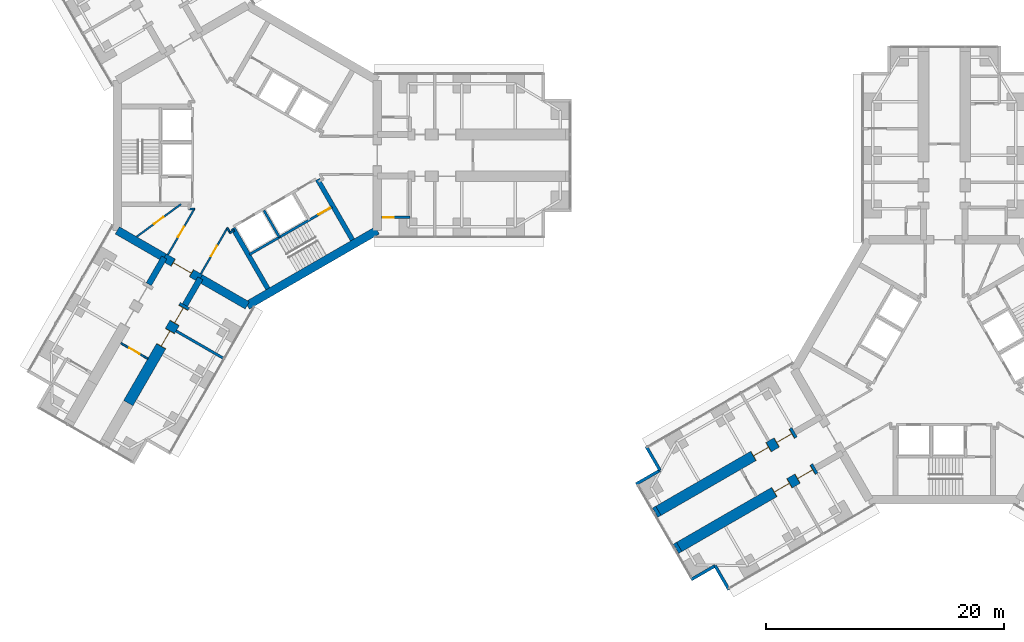
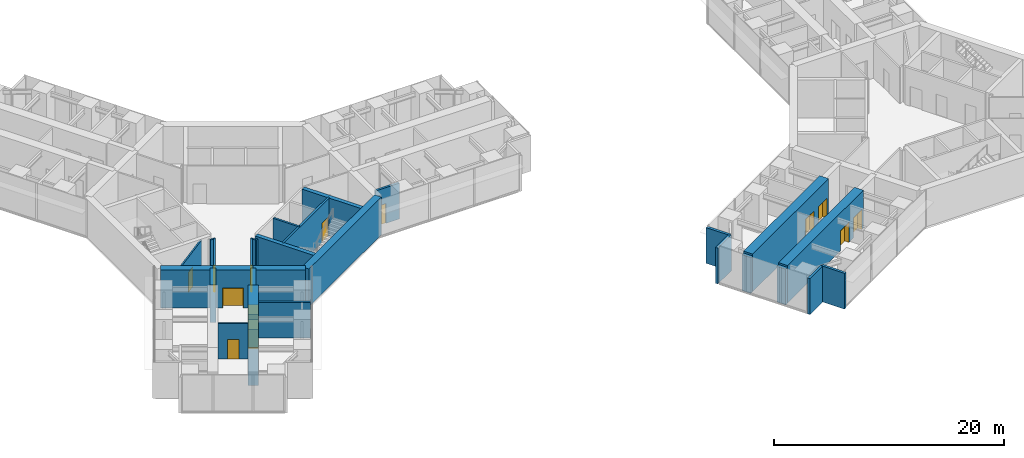
# One storey, part 16 of 23: 28 walls, 13 doors, 13 openings.
"""IFC4 building model written with IfcOpenShell, lengths in metres."""

from ifc_helpers import new_model, si_unit, direction, frame, frame_2d, origin, place, context, subcontext, project, spatial, rectangle, extrude, material, layer, layer_set, type_object, element, fill, save


model = new_model("IFC4")

# Units and contexts
model_context = context("Model", 3, precision=1e-05, world=origin(), true_north=direction((0.0, 1.0)))
body_context = subcontext(model_context, "Body", "Model", "MODEL_VIEW")
ifc_project = project(units=[si_unit("LENGTHUNIT", "METRE"), si_unit("AREAUNIT", "SQUARE_METRE"), si_unit("VOLUMEUNIT", "CUBIC_METRE"), si_unit("PLANEANGLEUNIT", "RADIAN"), si_unit("MASSUNIT", "GRAM", prefix="KILO")], contexts=[model_context])

# Site, building, storey
site_placement = place(None, origin())
site = spatial("IfcSite", under=ifc_project, at=site_placement, CompositionType="ELEMENT")
building_placement = place(site_placement, origin())
building = spatial("IfcBuilding", under=site, at=building_placement, Name="Upepo Twin Towers", CompositionType="ELEMENT")
storey_placement = place(building_placement, frame((0.0, 0.0, 32.5)))
storey = spatial("IfcBuildingStorey", under=building, at=storey_placement, Name="L07", CompositionType="ELEMENT", Elevation=32.5)

# Wall, opening, door
ifc_material_1 = material(Name="Concrete blockwork, plastered both faces", Category="masonry")
ifc_layer_1 = layer(ifc_material_1, 0.215087890625)
ifc_layer_set_1 = layer_set([ifc_layer_1], Name="Blockwork partition 215")
wall_type_1 = type_object("IfcWallType", Name="Blockwork partition 215", PredefinedType="PARTITIONING", material=ifc_layer_set_1)
wall_1_placement = place(storey_placement, frame((11.258056640625, -5.199951171875, 0.0), z_axis=(0.0, 0.0, 1.0), x_axis=(1.0, 0.0, 0.0)))
wall_1 = element("IfcWall", 1, at=wall_1_placement, inside=storey, type_object=wall_type_1, Name="T1 WC bay partition AR at 11.26", PredefinedType="PARTITIONING", context=body_context, shape_type="SweptSolid", body=[
    extrude(rectangle(XDim=2.39990234375, YDim=0.215087890625, at=frame_2d((1.199951171875, 0.0))), origin(), (0.0, 0.0, 1.0), 3.800048828125),
])
opening_1_placement = place(wall_1_placement, frame((0.14990234375, 0.0, 0.0)))
opening_1 = element("IfcOpeningElement", 2, at=opening_1_placement, cuts=wall_1, Name="Opening D14", PredefinedType="OPENING", context=body_context, shape_type="SweptSolid", body=[
    extrude(rectangle(XDim=0.89990234375, YDim=2.10009765625, at=frame_2d((0.449951171875, 1.050048828125))), frame((0.0, 0.117431640625, 0.0), z_axis=(0.0, -1.0, 0.0), x_axis=(1.0, 0.0, 0.0)), (0.0, 0.0, 1.0), 0.235107421875),
])
ifc_material_2 = material(Name="Timber doorset", Category="wood")
door_type_1 = type_object("IfcDoorType", Name="Office door 900 FD30", OperationType="SINGLE_SWING_LEFT", PredefinedType="DOOR", material=ifc_material_2)
door_1_placement = place(opening_1_placement, origin())
door_1 = element("IfcDoor", 3, at=door_1_placement, inside=storey, type_object=door_type_1, Name="T1 L07 WC bay inner room door", OperationType="SINGLE_SWING_LEFT", OverallHeight=2.10009765625, OverallWidth=0.89990234375, PredefinedType="DOOR", context=body_context, shape_type="SweptSolid", body=[
    extrude(rectangle(XDim=0.89990234375, YDim=2.10009765625, at=frame_2d((0.449951171875, 1.050048828125))), frame((0.0, 0.02490234375, 0.0), z_axis=(0.0, -1.0, 0.0), x_axis=(1.0, 0.0, 0.0)), (0.0, 0.0, 1.0), 0.050048828125),
])
fill(opening_1, door_1)

# Walls
wall_2_placement = place(storey_placement, frame((-5.9697265625, -14.739990234375, 0.0), z_axis=(0.0, 0.0, 1.0), x_axis=(0.866035472144, -0.499982560684, 0.0)))
element("IfcWall", 4, at=wall_2_placement, inside=storey, type_object=wall_type_1, Name="T1 partition CL at 15.75", PredefinedType="PARTITIONING", context=body_context, shape_type="SweptSolid", body=[
    extrude(rectangle(XDim=4.550048828125, YDim=0.215087890625, at=frame_2d((2.27490234375, 0.0))), origin(), (0.0, 0.0, 1.0), 3.800048828125),
])
ifc_material_3 = material(Name="Dense concrete blockwork", Category="masonry")
ifc_layer_2 = layer(ifc_material_3, 0.89990234375)
ifc_layer_set_2 = layer_set([ifc_layer_2], Name="Buttress closer 900, blockwork with fire-stopping to the curtain wall")
wall_type_2 = type_object("IfcWallType", Name="Buttress closer 900, blockwork with fire-stopping to the curtain wall", PredefinedType="PARTITIONING", material=ifc_layer_set_2)
for number, where, z_axis, x_axis, name in (
    (5, (36.252197265625, -32.865478515625, 0.0), (0.0, 0.0, 1.0), (-0.866054481515, -0.499949632511, 0.0), "T2 L07 wing B buttress closer L"),
    (6, (34.502197265625, -29.83447265625, 0.0), (0.0, 0.0, 1.0), (-0.866054481515, -0.499949632511, 0.0), "T2 L07 wing B buttress closer R"),
):
    element("IfcWall", number, at=place(storey_placement, frame(where, z_axis=z_axis, x_axis=x_axis)), inside=storey, type_object=wall_type_2, Name=name, PredefinedType="PARTITIONING", context=body_context, shape_type="SweptSolid", body=[
        extrude(rectangle(XDim=0.31005859375, YDim=0.89990234375, at=frame_2d((0.155029296875, 0.0))), origin(), (0.0, 0.0, 1.0), 3.800048828125),
    ])
ifc_material_4 = material(Name="Concrete C60/75", Category="concrete")
ifc_layer_3 = layer(ifc_material_4, 0.5)
ifc_layer_set_3 = layer_set([ifc_layer_3], Name="Concrete C60/75")
wall_type_3 = type_object("IfcWallType", Name="Buttress wall 500 RC", PredefinedType="SHEAR", material=ifc_layer_set_3)
for number, where, z_axis, x_axis, name in (
    (7, (-3.938720703125, -10.32177734375, 0.0), (0.0, 0.0, 1.0), (-0.499918158782, -0.866072649678, 0.0), "T1 wing C buttress wall L"),
    (8, (-6.9697265625, -8.57177734375, 0.0), (0.0, 0.0, 1.0), (-0.499988811324, -0.866031863473, 0.0), "T1 wing C buttress wall R"),
):
    element("IfcWall", number, at=place(storey_placement, frame(where, z_axis=z_axis, x_axis=x_axis)), inside=storey, type_object=wall_type_3, Name=name, PredefinedType="SHEAR", context=body_context, shape_type="SweptSolid", body=[
        extrude(rectangle(XDim=2.591796875, YDim=0.5, at=frame_2d((1.2958984375, 0.0))), origin(), (0.0, 0.0, 1.0), 4.0),
    ])

# Wall, openings, doors
ifc_material_5 = material(Name="Concrete C60/75", Category="concrete")
ifc_layer_4 = layer(ifc_material_5, 0.89990234375)
ifc_layer_set_4 = layer_set([ifc_layer_4], Name="Concrete C60/75")
wall_type_4 = type_object("IfcWallType", Name="Buttress wall 900 RC", PredefinedType="SHEAR", material=ifc_layer_set_4)
wall_3_placement = place(storey_placement, frame((-5.234375, -12.56640625, 0.0), z_axis=(0.0, 0.0, 1.0), x_axis=(-0.499997557548, -0.86602681393, 0.0)))
wall_3 = element("IfcWall", 9, at=wall_3_placement, inside=storey, type_object=wall_type_4, Name="T1 wing C buttress wall L part 2", PredefinedType="SHEAR", context=body_context, shape_type="SweptSolid", body=[
    extrude(rectangle(XDim=9.5, YDim=0.89990234375, at=frame_2d((4.75, 0.0))), origin(), (0.0, 0.0, 1.0), 4.0),
])
opening_2_placement = place(wall_3_placement, frame((0.25, 0.0, 0.0)))
opening_2 = element("IfcOpeningElement", 10, at=opening_2_placement, cuts=wall_3, Name="Opening D13", PredefinedType="OPENING", context=body_context, shape_type="SweptSolid", body=[
    extrude(rectangle(XDim=1.5, YDim=2.10009765625, at=frame_2d((0.75, 1.050048828125))), frame((0.0, 0.4599609375, 0.0), z_axis=(0.0, -1.0, 0.0), x_axis=(1.0, 0.0, 0.0)), (0.0, 0.0, 1.0), 0.919921875),
])
opening_3_placement = place(wall_3_placement, frame((2.5, 0.0, 0.0)))
opening_3 = element("IfcOpeningElement", 11, at=opening_3_placement, cuts=wall_3, Name="Opening D13", PredefinedType="OPENING", context=body_context, shape_type="SweptSolid", body=[
    extrude(rectangle(XDim=1.5, YDim=2.10009765625, at=frame_2d((0.75, 1.050048828125))), frame((0.0, 0.4599609375, 0.0), z_axis=(0.0, -1.0, 0.0), x_axis=(1.0, 0.0, 0.0)), (0.0, 0.0, 1.0), 0.919921875),
])
ifc_material_6 = material(Name="Timber doorset", Category="wood")
door_type_2 = type_object("IfcDoorType", Name="Double door 1500 FD30", OperationType="DOUBLE_DOOR_SINGLE_SWING", PredefinedType="DOOR", material=ifc_material_6)
door_2_placement = place(opening_2_placement, origin())
door_2 = element("IfcDoor", 12, at=door_2_placement, inside=storey, type_object=door_type_2, Name="T1 L07 laboratory prep room door", OperationType="DOUBLE_DOOR_SINGLE_SWING", OverallHeight=2.10009765625, OverallWidth=1.5, PredefinedType="DOOR", context=body_context, shape_type="SweptSolid", body=[
    extrude(rectangle(XDim=1.42, YDim=2.06009765625, at=frame_2d((0.75, 1.030029296875))), frame((0.0, 0.02490234375, 0.0), z_axis=(0.0, -1.0, 0.0), x_axis=(1.0, 0.0, 0.0)), (0.0, 0.0, 1.0), 0.050048828125),
    extrude(rectangle(XDim=0.04, YDim=2.10009765625, at=frame_2d((0.02001953125, 1.050048828125))), frame((0.0, 0.44970703125, 0.0), z_axis=(0.0, -1.0, 0.0), x_axis=(1.0, 0.0, 0.0)), (0.0, 0.0, 1.0), 0.8994140625),
    extrude(rectangle(XDim=0.04, YDim=2.10009765625, at=frame_2d((1.47998046875, 1.050048828125))), frame((0.0, 0.44970703125, 0.0), z_axis=(0.0, -1.0, 0.0), x_axis=(1.0, 0.0, 0.0)), (0.0, 0.0, 1.0), 0.8994140625),
    extrude(rectangle(XDim=1.42, YDim=0.04, at=frame_2d((0.75, 2.080078125))), frame((0.0, 0.44970703125, 0.0), z_axis=(0.0, -1.0, 0.0), x_axis=(1.0, 0.0, 0.0)), (0.0, 0.0, 1.0), 0.8994140625),
])
fill(opening_2, door_2)
door_3_placement = place(opening_3_placement, origin())
door_3 = element("IfcDoor", 13, at=door_3_placement, inside=storey, type_object=door_type_2, Name="T1 L07 teaching laboratory door", OperationType="DOUBLE_DOOR_SINGLE_SWING", OverallHeight=2.10009765625, OverallWidth=1.5, PredefinedType="DOOR", context=body_context, shape_type="SweptSolid", body=[
    extrude(rectangle(XDim=1.42, YDim=2.06009765625, at=frame_2d((0.75, 1.030029296875))), frame((0.0, 0.02490234375, 0.0), z_axis=(0.0, -1.0, 0.0), x_axis=(1.0, 0.0, 0.0)), (0.0, 0.0, 1.0), 0.050048828125),
    extrude(rectangle(XDim=0.04, YDim=2.10009765625, at=frame_2d((0.02001953125, 1.050048828125))), frame((0.0, 0.44970703125, 0.0), z_axis=(0.0, -1.0, 0.0), x_axis=(1.0, 0.0, 0.0)), (0.0, 0.0, 1.0), 0.8994140625),
    extrude(rectangle(XDim=0.04, YDim=2.10009765625, at=frame_2d((1.47998046875, 1.050048828125))), frame((0.0, 0.44970703125, 0.0), z_axis=(0.0, -1.0, 0.0), x_axis=(1.0, 0.0, 0.0)), (0.0, 0.0, 1.0), 0.8994140625),
    extrude(rectangle(XDim=1.42, YDim=0.04, at=frame_2d((0.75, 2.080078125))), frame((0.0, 0.44970703125, 0.0), z_axis=(0.0, -1.0, 0.0), x_axis=(1.0, 0.0, 0.0)), (0.0, 0.0, 1.0), 0.8994140625),
])
fill(opening_3, door_3)

wall_4_placement = place(storey_placement, frame((47.68359375, -26.265625, 0.0), z_axis=(0.0, 0.0, 1.0), x_axis=(-0.866027579429, -0.499996231654, 0.0)))
wall_4 = element("IfcWall", 14, at=wall_4_placement, inside=storey, type_object=wall_type_4, Name="T2 wing B buttress wall L part 2", PredefinedType="SHEAR", context=body_context, shape_type="SweptSolid", body=[
    extrude(rectangle(XDim=13.19970703125, YDim=0.89990234375, at=frame_2d((6.599853515625, 0.0))), origin(), (0.0, 0.0, 1.0), 4.0),
])
opening_4_placement = place(wall_4_placement, frame((0.25, 0.0, 0.0)))
opening_4 = element("IfcOpeningElement", 15, at=opening_4_placement, cuts=wall_4, Name="Opening D13", PredefinedType="OPENING", context=body_context, shape_type="SweptSolid", body=[
    extrude(rectangle(XDim=1.5, YDim=2.10009765625, at=frame_2d((0.75, 1.050048828125))), frame((0.0, 0.4599609375, 0.0), z_axis=(0.0, -1.0, 0.0), x_axis=(1.0, 0.0, 0.0)), (0.0, 0.0, 1.0), 0.919921875),
])
opening_5_placement = place(wall_4_placement, frame((2.5, 0.0, 0.0)))
opening_5 = element("IfcOpeningElement", 16, at=opening_5_placement, cuts=wall_4, Name="Opening D13", PredefinedType="OPENING", context=body_context, shape_type="SweptSolid", body=[
    extrude(rectangle(XDim=1.5, YDim=2.10009765625, at=frame_2d((0.75, 1.050048828125))), frame((0.0, 0.4599609375, 0.0), z_axis=(0.0, -1.0, 0.0), x_axis=(1.0, 0.0, 0.0)), (0.0, 0.0, 1.0), 0.919921875),
])
door_4_placement = place(opening_4_placement, origin())
door_4 = element("IfcDoor", 17, at=door_4_placement, inside=storey, type_object=door_type_2, Name="T2 L07 lecture room door", OperationType="DOUBLE_DOOR_SINGLE_SWING", OverallHeight=2.10009765625, OverallWidth=1.5, PredefinedType="DOOR", context=body_context, shape_type="SweptSolid", body=[
    extrude(rectangle(XDim=1.42, YDim=2.06009765625, at=frame_2d((0.75, 1.030029296875))), frame((0.0, 0.02490234375, 0.0), z_axis=(0.0, -1.0, 0.0), x_axis=(1.0, 0.0, 0.0)), (0.0, 0.0, 1.0), 0.050048828125),
    extrude(rectangle(XDim=0.04, YDim=2.10009765625, at=frame_2d((0.02001953125, 1.050048828125))), frame((0.0, 0.44970703125, 0.0), z_axis=(0.0, -1.0, 0.0), x_axis=(1.0, 0.0, 0.0)), (0.0, 0.0, 1.0), 0.8994140625),
    extrude(rectangle(XDim=0.04, YDim=2.10009765625, at=frame_2d((1.47998046875, 1.050048828125))), frame((0.0, 0.44970703125, 0.0), z_axis=(0.0, -1.0, 0.0), x_axis=(1.0, 0.0, 0.0)), (0.0, 0.0, 1.0), 0.8994140625),
    extrude(rectangle(XDim=1.42, YDim=0.04, at=frame_2d((0.75, 2.080078125))), frame((0.0, 0.44970703125, 0.0), z_axis=(0.0, -1.0, 0.0), x_axis=(1.0, 0.0, 0.0)), (0.0, 0.0, 1.0), 0.8994140625),
])
fill(opening_4, door_4)
door_5_placement = place(opening_5_placement, origin())
door_5 = element("IfcDoor", 18, at=door_5_placement, inside=storey, type_object=door_type_2, Name="T2 L07 lecture room door", OperationType="DOUBLE_DOOR_SINGLE_SWING", OverallHeight=2.10009765625, OverallWidth=1.5, PredefinedType="DOOR", context=body_context, shape_type="SweptSolid", body=[
    extrude(rectangle(XDim=1.42, YDim=2.06009765625, at=frame_2d((0.75, 1.030029296875))), frame((0.0, 0.02490234375, 0.0), z_axis=(0.0, -1.0, 0.0), x_axis=(1.0, 0.0, 0.0)), (0.0, 0.0, 1.0), 0.050048828125),
    extrude(rectangle(XDim=0.04, YDim=2.10009765625, at=frame_2d((0.02001953125, 1.050048828125))), frame((0.0, 0.44970703125, 0.0), z_axis=(0.0, -1.0, 0.0), x_axis=(1.0, 0.0, 0.0)), (0.0, 0.0, 1.0), 0.8994140625),
    extrude(rectangle(XDim=0.04, YDim=2.10009765625, at=frame_2d((1.47998046875, 1.050048828125))), frame((0.0, 0.44970703125, 0.0), z_axis=(0.0, -1.0, 0.0), x_axis=(1.0, 0.0, 0.0)), (0.0, 0.0, 1.0), 0.8994140625),
    extrude(rectangle(XDim=1.42, YDim=0.04, at=frame_2d((0.75, 2.080078125))), frame((0.0, 0.44970703125, 0.0), z_axis=(0.0, -1.0, 0.0), x_axis=(1.0, 0.0, 0.0)), (0.0, 0.0, 1.0), 0.8994140625),
])
fill(opening_5, door_5)

wall_5_placement = place(storey_placement, frame((45.93359375, -23.234375, 0.0), z_axis=(0.0, 0.0, 1.0), x_axis=(-0.866019570528, -0.500010103361, 0.0)))
wall_5 = element("IfcWall", 19, at=wall_5_placement, inside=storey, type_object=wall_type_4, Name="T2 wing B buttress wall R part 2", PredefinedType="SHEAR", context=body_context, shape_type="SweptSolid", body=[
    extrude(rectangle(XDim=13.199951171875, YDim=0.89990234375, at=frame_2d((6.60009765625, 0.0))), origin(), (0.0, 0.0, 1.0), 4.0),
])
opening_6_placement = place(wall_5_placement, frame((0.25, 0.0, 0.0)))
opening_6 = element("IfcOpeningElement", 20, at=opening_6_placement, cuts=wall_5, Name="Opening D13", PredefinedType="OPENING", context=body_context, shape_type="SweptSolid", body=[
    extrude(rectangle(XDim=1.5, YDim=2.10009765625, at=frame_2d((0.75, 1.050048828125))), frame((0.0, 0.4599609375, 0.0), z_axis=(0.0, -1.0, 0.0), x_axis=(1.0, 0.0, 0.0)), (0.0, 0.0, 1.0), 0.919921875),
])
opening_7_placement = place(wall_5_placement, frame((2.5, 0.0, 0.0)))
opening_7 = element("IfcOpeningElement", 21, at=opening_7_placement, cuts=wall_5, Name="Opening D13", PredefinedType="OPENING", context=body_context, shape_type="SweptSolid", body=[
    extrude(rectangle(XDim=1.5, YDim=2.10009765625, at=frame_2d((0.75, 1.050048828125))), frame((0.0, 0.4599609375, 0.0), z_axis=(0.0, -1.0, 0.0), x_axis=(1.0, 0.0, 0.0)), (0.0, 0.0, 1.0), 0.919921875),
])
door_6_placement = place(opening_6_placement, origin())
door_6 = element("IfcDoor", 22, at=door_6_placement, inside=storey, type_object=door_type_2, Name="T2 L07 tutorial room door", OperationType="DOUBLE_DOOR_SINGLE_SWING", OverallHeight=2.10009765625, OverallWidth=1.5, PredefinedType="DOOR", context=body_context, shape_type="SweptSolid", body=[
    extrude(rectangle(XDim=1.42, YDim=2.06009765625, at=frame_2d((0.75, 1.030029296875))), frame((0.0, 0.02490234375, 0.0), z_axis=(0.0, -1.0, 0.0), x_axis=(1.0, 0.0, 0.0)), (0.0, 0.0, 1.0), 0.050048828125),
    extrude(rectangle(XDim=0.04, YDim=2.10009765625, at=frame_2d((0.02001953125, 1.050048828125))), frame((0.0, 0.44970703125, 0.0), z_axis=(0.0, -1.0, 0.0), x_axis=(1.0, 0.0, 0.0)), (0.0, 0.0, 1.0), 0.8994140625),
    extrude(rectangle(XDim=0.04, YDim=2.10009765625, at=frame_2d((1.47998046875, 1.050048828125))), frame((0.0, 0.44970703125, 0.0), z_axis=(0.0, -1.0, 0.0), x_axis=(1.0, 0.0, 0.0)), (0.0, 0.0, 1.0), 0.8994140625),
    extrude(rectangle(XDim=1.42, YDim=0.04, at=frame_2d((0.75, 2.080078125))), frame((0.0, 0.44970703125, 0.0), z_axis=(0.0, -1.0, 0.0), x_axis=(1.0, 0.0, 0.0)), (0.0, 0.0, 1.0), 0.8994140625),
])
fill(opening_6, door_6)
door_7_placement = place(opening_7_placement, origin())
door_7 = element("IfcDoor", 23, at=door_7_placement, inside=storey, type_object=door_type_2, Name="T2 L07 lecture room door", OperationType="DOUBLE_DOOR_SINGLE_SWING", OverallHeight=2.10009765625, OverallWidth=1.5, PredefinedType="DOOR", context=body_context, shape_type="SweptSolid", body=[
    extrude(rectangle(XDim=1.42, YDim=2.06009765625, at=frame_2d((0.75, 1.030029296875))), frame((0.0, 0.02490234375, 0.0), z_axis=(0.0, -1.0, 0.0), x_axis=(1.0, 0.0, 0.0)), (0.0, 0.0, 1.0), 0.050048828125),
    extrude(rectangle(XDim=0.04, YDim=2.10009765625, at=frame_2d((0.02001953125, 1.050048828125))), frame((0.0, 0.44970703125, 0.0), z_axis=(0.0, -1.0, 0.0), x_axis=(1.0, 0.0, 0.0)), (0.0, 0.0, 1.0), 0.8994140625),
    extrude(rectangle(XDim=0.04, YDim=2.10009765625, at=frame_2d((1.47998046875, 1.050048828125))), frame((0.0, 0.44970703125, 0.0), z_axis=(0.0, -1.0, 0.0), x_axis=(1.0, 0.0, 0.0)), (0.0, 0.0, 1.0), 0.8994140625),
    extrude(rectangle(XDim=1.42, YDim=0.04, at=frame_2d((0.75, 2.080078125))), frame((0.0, 0.44970703125, 0.0), z_axis=(0.0, -1.0, 0.0), x_axis=(1.0, 0.0, 0.0)), (0.0, 0.0, 1.0), 0.8994140625),
])
fill(opening_7, door_7)

# Wall
ifc_material_7 = material(Name="Concrete C60/75", Category="concrete")
ifc_layer_5 = layer(ifc_material_7, 0.699951171875)
ifc_layer_set_5 = layer_set([ifc_layer_5], Name="Concrete C60/75")
wall_type_5 = type_object("IfcWallType", Name="Core wall 700 RC", PredefinedType="SHEAR", material=ifc_layer_set_5)
wall_6_placement = place(storey_placement, frame((-10.908447265625, -6.2978515625, 0.0), z_axis=(0.0, 0.0, 1.0), x_axis=(0.866034513004, -0.499984222037, 0.0)))
element("IfcWall", 24, at=wall_6_placement, inside=storey, type_object=wall_type_5, Name="T1 core wall 240 R", PredefinedType="SHEAR", context=body_context, shape_type="SweptSolid", body=[
    extrude(rectangle(XDim=4.548095703125, YDim=0.699951171875, at=frame_2d((2.27392578125, 0.0))), origin(), (0.0, 0.0, 1.0), 4.0),
])

# Wall, opening, door
wall_7_placement = place(storey_placement, frame((-6.9697265625, -8.57177734375, 0.0), z_axis=(0.0, 0.0, 1.0), x_axis=(0.866019471182, -0.500010275428, 0.0)))
wall_7 = element("IfcWall", 25, at=wall_7_placement, inside=storey, type_object=wall_type_5, Name="T1 core wall 240", PredefinedType="SHEAR", context=body_context, shape_type="SweptSolid", body=[
    extrude(rectangle(XDim=3.5, YDim=0.699951171875, at=frame_2d((1.75, 0.0))), origin(), (0.0, 0.0, 1.0), 4.0),
])
opening_8_placement = place(wall_7_placement, frame((0.85009765625, 0.0, 0.0)))
opening_8 = element("IfcOpeningElement", 26, at=opening_8_placement, cuts=wall_7, Name="Opening D2", PredefinedType="OPENING", context=body_context, shape_type="SweptSolid", body=[
    extrude(rectangle(XDim=1.800048828125, YDim=2.10009765625, at=frame_2d((0.89990234375, 1.050048828125))), frame((0.0, 0.35986328125, 0.0), z_axis=(0.0, -1.0, 0.0), x_axis=(1.0, 0.0, 0.0)), (0.0, 0.0, 1.0), 0.719970703125),
])
ifc_material_8 = material(Name="Timber doorset", Category="wood")
door_type_3 = type_object("IfcDoorType", Name="Corridor double door 1800 FD60", OperationType="DOUBLE_DOOR_DOUBLE_SWING", PredefinedType="DOOR", material=ifc_material_8)
door_8_placement = place(opening_8_placement, origin())
door_8 = element("IfcDoor", 27, at=door_8_placement, inside=storey, type_object=door_type_3, Name="T1 L07 wing C corridor door", OperationType="DOUBLE_DOOR_DOUBLE_SWING", OverallHeight=2.10009765625, OverallWidth=1.800048828125, PredefinedType="DOOR", context=body_context, shape_type="SweptSolid", body=[
    extrude(rectangle(XDim=1.720048828125, YDim=2.06009765625, at=frame_2d((0.89990234375, 1.030029296875))), frame((0.0, 0.02490234375, 0.0), z_axis=(0.0, -1.0, 0.0), x_axis=(1.0, 0.0, 0.0)), (0.0, 0.0, 1.0), 0.050048828125),
    extrude(rectangle(XDim=0.04, YDim=2.10009765625, at=frame_2d((0.02001953125, 1.050048828125))), frame((0.0, 0.349609375, 0.0), z_axis=(0.0, -1.0, 0.0), x_axis=(1.0, 0.0, 0.0)), (0.0, 0.0, 1.0), 0.699462890625),
    extrude(rectangle(XDim=0.04, YDim=2.10009765625, at=frame_2d((1.780029296875, 1.050048828125))), frame((0.0, 0.349609375, 0.0), z_axis=(0.0, -1.0, 0.0), x_axis=(1.0, 0.0, 0.0)), (0.0, 0.0, 1.0), 0.699462890625),
    extrude(rectangle(XDim=1.720048828125, YDim=0.04, at=frame_2d((0.89990234375, 2.080078125))), frame((0.0, 0.349609375, 0.0), z_axis=(0.0, -1.0, 0.0), x_axis=(1.0, 0.0, 0.0)), (0.0, 0.0, 1.0), 0.699462890625),
])
fill(opening_8, door_8)

# Walls
wall_8_placement = place(storey_placement, frame((-3.938720703125, -10.32177734375, 0.0), z_axis=(0.0, 0.0, 1.0), x_axis=(0.866011268655, -0.500024481964, 0.0)))
element("IfcWall", 28, at=wall_8_placement, inside=storey, type_object=wall_type_5, Name="T1 core wall 240 L", PredefinedType="SHEAR", context=body_context, shape_type="SweptSolid", body=[
    extrude(rectangle(XDim=4.548095703125, YDim=0.699951171875, at=frame_2d((2.27392578125, 0.0))), origin(), (0.0, 0.0, 1.0), 4.0),
])
wall_9_placement = place(storey_placement, frame((0.0, -12.595947265625, 0.0), z_axis=(0.0, 0.0, 1.0), x_axis=(0.866021940709, 0.500005998175, 0.0)))
element("IfcWall", 29, at=wall_9_placement, inside=storey, type_object=wall_type_5, Name="T1 core wall 300", PredefinedType="SHEAR", context=body_context, shape_type="SweptSolid", body=[
    extrude(rectangle(XDim=12.595947265625, YDim=0.699951171875, at=frame_2d((6.2978515625, 0.0))), origin(), (0.0, 0.0, 1.0), 4.0),
])
ifc_material_9 = material(Name="Blockwork with anodised aluminium cladding", Category="masonry")
ifc_layer_6 = layer(ifc_material_9, 0.25)
ifc_layer_set_6 = layer_set([ifc_layer_6], Name="Notch cladding wall 250, pale metal")
wall_type_6 = type_object("IfcWallType", Name="Notch cladding wall 250, pale metal", PredefinedType="STANDARD", material=ifc_layer_set_6)
for number, where, z_axis, x_axis, name in (
    (30, (40.4326171875, -36.456298828125, 0.0), (0.0, 0.0, 1.0), (-0.500046648681, 0.865998469481, 0.0), "T2 L07 wing B notch wall L1"),
    (31, (39.27001953125, -34.44287109375, 0.0), (0.0, 0.0, 1.0), (-0.865998469481, -0.500046648681, 0.0), "T2 L07 wing B notch wall L2"),
    (32, (33.482666015625, -24.418701171875, 0.0), (0.0, 0.0, 1.0), (0.499967891604, -0.866043940782, 0.0), "T2 L07 wing B notch wall R1"),
    (33, (34.64501953125, -26.43212890625, 0.0), (0.0, 0.0, 1.0), (-0.865998469481, -0.500046648681, 0.0), "T2 L07 wing B notch wall R2"),
):
    element("IfcWall", number, at=place(storey_placement, frame(where, z_axis=z_axis, x_axis=x_axis)), inside=storey, type_object=wall_type_6, Name=name, PredefinedType="STANDARD", context=body_context, shape_type="SweptSolid", body=[
        extrude(rectangle(XDim=2.324951171875, YDim=0.25, at=frame_2d((1.16259765625, 0.0))), origin(), (0.0, 0.0, 1.0), 3.800048828125),
    ])
ifc_material_10 = material(Name="Concrete C40/50", Category="concrete")
ifc_layer_7 = layer(ifc_material_10, 0.199951171875)
ifc_layer_set_7 = layer_set([ifc_layer_7], Name="Concrete C40/50")
wall_type_7 = type_object("IfcWallType", Name="Shaft wall 200 RC", PredefinedType="SHEAR", material=ifc_layer_set_7)
wall_10_placement = place(storey_placement, frame((1.3974609375, -4.620361328125, 0.0), z_axis=(0.0, 0.0, 1.0), x_axis=(0.499936506574, -0.866062058628, 0.0)))
element("IfcWall", 34, at=wall_10_placement, inside=storey, type_object=wall_type_7, Name="T1 core W300 shaft divider", PredefinedType="SHEAR", context=body_context, shape_type="SweptSolid", body=[
    extrude(rectangle(XDim=2.599853515625, YDim=0.199951171875, at=frame_2d((1.2998046875, 0.0))), origin(), (0.0, 0.0, 1.0), 4.0),
])

# Wall, opening, door
wall_11_placement = place(storey_placement, frame((0.185791015625, -8.322021484375, 0.0), z_axis=(0.0, 0.0, 1.0), x_axis=(0.866026010844, 0.49999894854, 0.0)))
wall_11 = element("IfcWall", 35, at=wall_11_placement, inside=storey, type_object=wall_type_7, Name="T1 core W300 stair wall", PredefinedType="SHEAR", context=body_context, shape_type="SweptSolid", body=[
    extrude(rectangle(XDim=8.0, YDim=0.199951171875, at=frame_2d((4.0, 0.0))), origin(), (0.0, 0.0, 1.0), 4.0),
])
opening_9_placement = place(wall_11_placement, frame((6.699951171875, 0.0, 0.0)))
opening_9 = element("IfcOpeningElement", 36, at=opening_9_placement, cuts=wall_11, Name="Opening D3", PredefinedType="OPENING", context=body_context, shape_type="SweptSolid", body=[
    extrude(rectangle(XDim=1.10009765625, YDim=2.10009765625, at=frame_2d((0.550048828125, 1.050048828125))), frame((0.0, 0.10986328125, 0.0), z_axis=(0.0, -1.0, 0.0), x_axis=(1.0, 0.0, 0.0)), (0.0, 0.0, 1.0), 0.219970703125),
])
ifc_material_11 = material(Name="Timber doorset", Category="wood")
door_type_4 = type_object("IfcDoorType", Name="Stair door 1100 FD60", OperationType="SINGLE_SWING_LEFT", PredefinedType="DOOR", material=ifc_material_11)
door_9_placement = place(opening_9_placement, origin())
door_9 = element("IfcDoor", 37, at=door_9_placement, inside=storey, type_object=door_type_4, Name="T1 L07 stair door", OperationType="SINGLE_SWING_RIGHT", OverallHeight=2.10009765625, OverallWidth=1.10009765625, PredefinedType="DOOR", context=body_context, shape_type="SweptSolid", body=[
    extrude(rectangle(XDim=1.10009765625, YDim=2.10009765625, at=frame_2d((0.550048828125, 1.050048828125))), frame((0.0, 0.02490234375, 0.0), z_axis=(0.0, -1.0, 0.0), x_axis=(1.0, 0.0, 0.0)), (0.0, 0.0, 1.0), 0.050048828125),
])
fill(opening_9, door_9)

# Walls
ifc_material_12 = material(Name="Concrete C40/50", Category="concrete")
ifc_layer_8 = layer(ifc_material_12, 0.39990234375)
ifc_layer_set_8 = layer_set([ifc_layer_8], Name="Concrete C40/50")
wall_type_8 = type_object("IfcWallType", Name="Shaft wall 400 RC", PredefinedType="SHEAR", material=ifc_layer_set_8)
for number, where, z_axis, x_axis, name in (
    (38, (5.900634765625, -2.020263671875, 0.0), (0.0, 0.0, 1.0), (0.500002627198, -0.866023886965, 0.0), "T1 core W300 side wall N"),
    (39, (-1.20068359375, -6.120361328125, 0.0), (0.0, 0.0, 1.0), (0.500002627198, -0.866023886965, 0.0), "T1 core W300 side wall S"),
):
    element("IfcWall", number, at=place(storey_placement, frame(where, z_axis=z_axis, x_axis=x_axis)), inside=storey, type_object=wall_type_8, Name=name, PredefinedType="SHEAR", context=body_context, shape_type="SweptSolid", body=[
        extrude(rectangle(XDim=5.8583984375, YDim=0.39990234375, at=frame_2d((2.92919921875, 0.0))), origin(), (0.0, 0.0, 1.0), 4.0),
    ])
ifc_material_13 = material(Name="Gypsum board on steel studs", Category="steel")
ifc_layer_9 = layer(ifc_material_13, 0.14990234375)
ifc_layer_set_9 = layer_set([ifc_layer_9], Name="Teaching partition 150 acoustic")
wall_type_9 = type_object("IfcWallType", Name="Teaching partition 150 acoustic", PredefinedType="PARTITIONING", material=ifc_layer_set_9)
wall_12_placement = place(storey_placement, frame((-1.092041015625, -6.28857421875, 0.0), z_axis=(0.0, 0.0, 1.0), x_axis=(-0.866138304741, -0.499804398801, 0.0)))
element("IfcWall", 40, at=wall_12_placement, inside=storey, type_object=wall_type_9, Name="T1 core room partition 2", PredefinedType="PARTITIONING", context=body_context, shape_type="SweptSolid", body=[
    extrude(rectangle(XDim=0.429931640625, YDim=0.14990234375, at=frame_2d((0.21484375, 0.0))), origin(), (0.0, 0.0, 1.0), 3.800048828125),
])
wall_13_placement = place(storey_placement, frame((-1.43701171875, -6.5107421875, 0.0), z_axis=(0.0, 0.0, 1.0), x_axis=(-0.50033519877, 0.865831790172, 0.0)))
element("IfcWall", 41, at=wall_13_placement, inside=storey, type_object=wall_type_9, Name="T1 core room partition 3", PredefinedType="PARTITIONING", context=body_context, shape_type="SweptSolid", body=[
    extrude(rectangle(XDim=0.494384765625, YDim=0.14990234375, at=frame_2d((0.2470703125, 0.0))), origin(), (0.0, 0.0, 1.0), 3.800048828125),
])

# Wall, opening, door
wall_14_placement = place(storey_placement, frame((-1.664306640625, -6.082763671875, 0.0), z_axis=(0.0, 0.0, 1.0), x_axis=(-0.499999927604, -0.866025445582, 0.0)))
wall_14 = element("IfcWall", 42, at=wall_14_placement, inside=storey, type_object=wall_type_9, Name="T1 core room partition 4", PredefinedType="PARTITIONING", context=body_context, shape_type="SweptSolid", body=[
    extrude(rectangle(XDim=4.46826171875, YDim=0.14990234375, at=frame_2d((2.234130859375, 0.0))), origin(), (0.0, 0.0, 1.0), 3.800048828125),
])
opening_10_placement = place(wall_14_placement, frame((1.744384765625, 0.0, 0.0)))
opening_10 = element("IfcOpeningElement", 43, at=opening_10_placement, cuts=wall_14, Name="Opening D1", PredefinedType="OPENING", context=body_context, shape_type="SweptSolid", body=[
    extrude(rectangle(XDim=1.0, YDim=2.10009765625, at=frame_2d((0.5, 1.050048828125))), frame((0.0, 0.0849609375, 0.0), z_axis=(0.0, -1.0, 0.0), x_axis=(1.0, 0.0, 0.0)), (0.0, 0.0, 1.0), 0.169921875),
])
ifc_material_14 = material(Name="Timber doorset", Category="wood")
door_type_5 = type_object("IfcDoorType", Name="Room door 1000 FD30", OperationType="SINGLE_SWING_LEFT", PredefinedType="DOOR", material=ifc_material_14)
door_10_placement = place(opening_10_placement, origin())
door_10 = element("IfcDoor", 44, at=door_10_placement, inside=storey, type_object=door_type_5, Name="T1 L07 core room door K3", OperationType="SINGLE_SWING_RIGHT", OverallHeight=2.10009765625, OverallWidth=1.0, PredefinedType="DOOR", context=body_context, shape_type="SweptSolid", body=[
    extrude(rectangle(XDim=1.0, YDim=2.10009765625, at=frame_2d((0.5, 1.050048828125))), frame((0.0, 0.02490234375, 0.0), z_axis=(0.0, -1.0, 0.0), x_axis=(1.0, 0.0, 0.0)), (0.0, 0.0, 1.0), 0.050048828125),
])
fill(opening_10, door_10)

wall_15_placement = place(storey_placement, frame((-6.669921875, -8.3525390625, 0.0), z_axis=(0.0, 0.0, 1.0), x_axis=(0.500017246033, 0.866015446554, 0.0)))
wall_15 = element("IfcWall", 45, at=wall_15_placement, inside=storey, type_object=wall_type_9, Name="T1 core room partition 5", PredefinedType="PARTITIONING", context=body_context, shape_type="SweptSolid", body=[
    extrude(rectangle(XDim=4.468505859375, YDim=0.14990234375, at=frame_2d((2.234375, 0.0))), origin(), (0.0, 0.0, 1.0), 3.800048828125),
])
opening_11_placement = place(wall_15_placement, frame((1.72412109375, 0.0, 0.0)))
opening_11 = element("IfcOpeningElement", 46, at=opening_11_placement, cuts=wall_15, Name="Opening D1", PredefinedType="OPENING", context=body_context, shape_type="SweptSolid", body=[
    extrude(rectangle(XDim=1.0, YDim=2.10009765625, at=frame_2d((0.5, 1.050048828125))), frame((0.0, 0.0849609375, 0.0), z_axis=(0.0, -1.0, 0.0), x_axis=(1.0, 0.0, 0.0)), (0.0, 0.0, 1.0), 0.169921875),
])
door_11_placement = place(opening_11_placement, origin())
door_11 = element("IfcDoor", 47, at=door_11_placement, inside=storey, type_object=door_type_5, Name="T1 L07 core room door K2", OperationType="SINGLE_SWING_LEFT", OverallHeight=2.10009765625, OverallWidth=1.0, PredefinedType="DOOR", context=body_context, shape_type="SweptSolid", body=[
    extrude(rectangle(XDim=1.0, YDim=2.10009765625, at=frame_2d((0.5, 1.050048828125))), frame((0.0, 0.02490234375, 0.0), z_axis=(0.0, -1.0, 0.0), x_axis=(1.0, 0.0, 0.0)), (0.0, 0.0, 1.0), 0.050048828125),
])
fill(opening_11, door_11)

# Wall
wall_16_placement = place(storey_placement, frame((-4.425537109375, -4.5, 0.0), z_axis=(0.0, 0.0, 1.0), x_axis=(-1.0, 0.0, 0.0)))
element("IfcWall", 48, at=wall_16_placement, inside=storey, type_object=wall_type_9, Name="T1 core room partition 6", PredefinedType="PARTITIONING", context=body_context, shape_type="SweptSolid", body=[
    extrude(rectangle(XDim=0.494384765625, YDim=0.14990234375, at=frame_2d((0.2470703125, 0.0))), origin(), (0.0, 0.0, 1.0), 3.800048828125),
])

# Wall, opening, door
wall_17_placement = place(storey_placement, frame((-5.57373046875, -4.10009765625, 0.0), z_axis=(0.0, 0.0, 1.0), x_axis=(-0.805553580125, -0.592522935884, 0.0)))
wall_17 = element("IfcWall", 49, at=wall_17_placement, inside=storey, type_object=wall_type_9, Name="T1 core room partition 19", PredefinedType="PARTITIONING", context=body_context, shape_type="SweptSolid", body=[
    extrude(rectangle(XDim=4.608154296875, YDim=0.14990234375, at=frame_2d((2.30419921875, 0.0))), origin(), (0.0, 0.0, 1.0), 3.800048828125),
])
opening_12_placement = place(wall_17_placement, frame((1.80419921875, 0.0, 0.0)))
opening_12 = element("IfcOpeningElement", 50, at=opening_12_placement, cuts=wall_17, Name="Opening D1", PredefinedType="OPENING", context=body_context, shape_type="SweptSolid", body=[
    extrude(rectangle(XDim=1.0, YDim=2.10009765625, at=frame_2d((0.5, 1.050048828125))), frame((0.0, 0.0849609375, 0.0), z_axis=(0.0, -1.0, 0.0), x_axis=(1.0, 0.0, 0.0)), (0.0, 0.0, 1.0), 0.169921875),
])
door_12_placement = place(opening_12_placement, origin())
door_12 = element("IfcDoor", 51, at=door_12_placement, inside=storey, type_object=door_type_5, Name="T1 L07 core room door K1", OperationType="SINGLE_SWING_LEFT", OverallHeight=2.10009765625, OverallWidth=1.0, PredefinedType="DOOR", context=body_context, shape_type="SweptSolid", body=[
    extrude(rectangle(XDim=1.0, YDim=2.10009765625, at=frame_2d((0.5, 1.050048828125))), frame((0.0, 0.02490234375, 0.0), z_axis=(0.0, -1.0, 0.0), x_axis=(1.0, 0.0, 0.0)), (0.0, 0.0, 1.0), 0.050048828125),
])
fill(opening_12, door_12)

wall_18_placement = place(storey_placement, frame((-10.600830078125, -15.76123046875, 0.0), z_axis=(0.0, 0.0, 1.0), x_axis=(0.866021400173, -0.500006934395, 0.0)))
wall_18 = element("IfcWall", 52, at=wall_18_placement, inside=storey, type_object=wall_type_9, Name="T1 corridor end partition C at 18.95", PredefinedType="PARTITIONING", context=body_context, shape_type="SweptSolid", body=[
    extrude(rectangle(XDim=2.60009765625, YDim=0.14990234375, at=frame_2d((1.300048828125, 0.0))), origin(), (0.0, 0.0, 1.0), 3.800048828125),
])
opening_13_placement = place(wall_18_placement, frame((0.800048828125, 0.0, 0.0)))
opening_13 = element("IfcOpeningElement", 53, at=opening_13_placement, cuts=wall_18, Name="Opening D1", PredefinedType="OPENING", context=body_context, shape_type="SweptSolid", body=[
    extrude(rectangle(XDim=1.0, YDim=2.10009765625, at=frame_2d((0.5, 1.050048828125))), frame((0.0, 0.0849609375, 0.0), z_axis=(0.0, -1.0, 0.0), x_axis=(1.0, 0.0, 0.0)), (0.0, 0.0, 1.0), 0.169921875),
])
door_13_placement = place(opening_13_placement, origin())
door_13 = element("IfcDoor", 54, at=door_13_placement, inside=storey, type_object=door_type_5, Name="T1 L07 breakout study room door", OperationType="SINGLE_SWING_LEFT", OverallHeight=2.10009765625, OverallWidth=1.0, PredefinedType="DOOR", context=body_context, shape_type="SweptSolid", body=[
    extrude(rectangle(XDim=1.0, YDim=2.10009765625, at=frame_2d((0.5, 1.050048828125))), frame((0.0, 0.02490234375, 0.0), z_axis=(0.0, -1.0, 0.0), x_axis=(1.0, 0.0, 0.0)), (0.0, 0.0, 1.0), 0.050048828125),
])
fill(opening_13, door_13)

save(model, "model.ifc")
